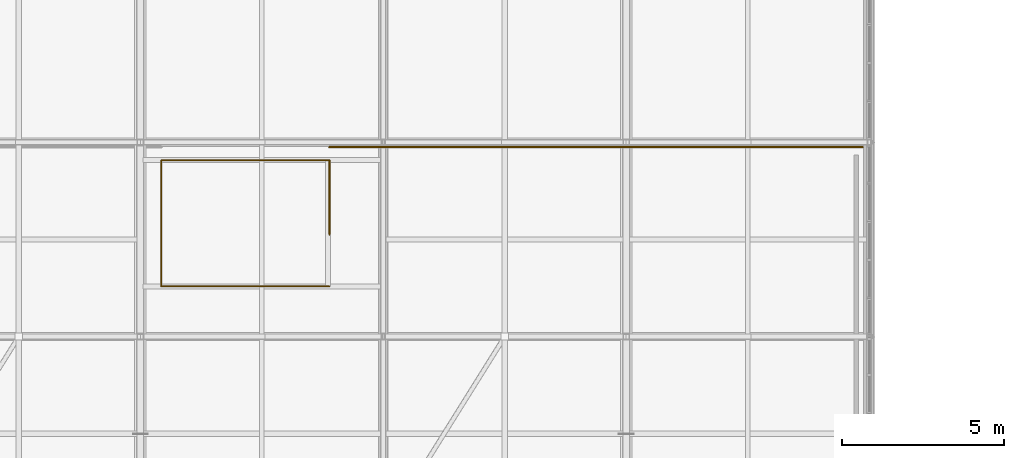
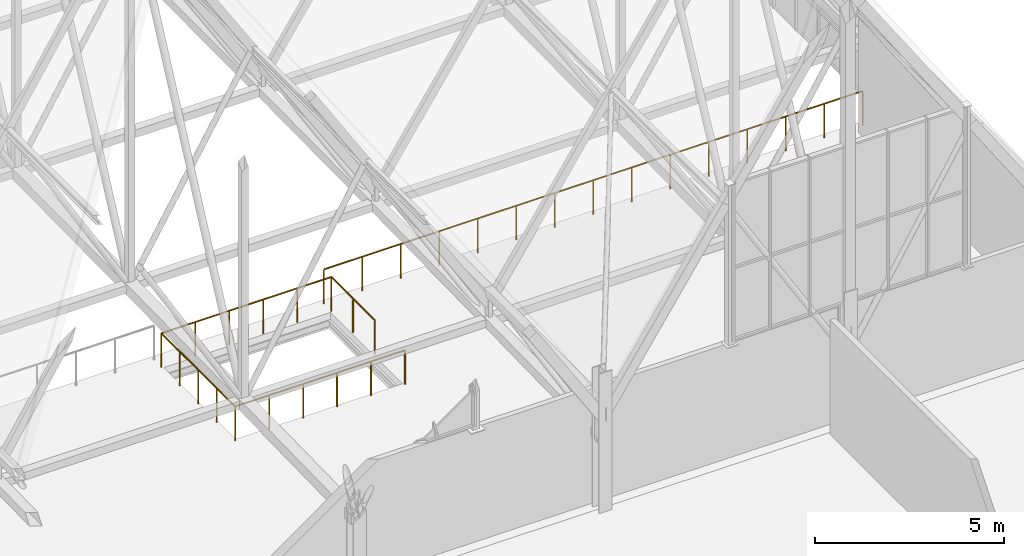
# One storey, part 324 of 324: 2 railings.
"""IFC4 building model written with IfcOpenShell, lengths in metres."""

from ifc_helpers import new_model, si_unit, direction, frame, origin, origin_2d, place, context, subcontext, project, spatial, circle, extrude, material, type_object, element, save


model = new_model("IFC4")

# Units and contexts
model_context = context("Model", 3, precision=1e-05, world=origin(), true_north=direction((0.0, 1.0)))
body_context = subcontext(model_context, "Body", "Model", "MODEL_VIEW")
ifc_project = project(units=[si_unit("LENGTHUNIT", "METRE"), si_unit("AREAUNIT", "SQUARE_METRE"), si_unit("VOLUMEUNIT", "CUBIC_METRE"), si_unit("PLANEANGLEUNIT", "RADIAN"), si_unit("MASSUNIT", "GRAM", prefix="KILO")], contexts=[model_context])

# Site, building, storey
site_placement = place(None, origin())
site = spatial("IfcSite", under=ifc_project, at=site_placement, CompositionType="ELEMENT")
building_placement = place(site_placement, origin())
building = spatial("IfcBuilding", under=site, at=building_placement, Name="Solvenia Promenade Tram Depot", CompositionType="ELEMENT")
storey_placement = place(building_placement, frame((0.0, 0.0, 4.5)))
storey = spatial("IfcBuildingStorey", under=building, at=storey_placement, Name="L01", CompositionType="ELEMENT", Elevation=4.5)

# Railings
ifc_material = material(Name="Anodized aluminium AW-6063 T6", Category="aluminium")
railing_type_1 = type_object("IfcRailingType", Name="Guard-Stair-1100", PredefinedType="GUARDRAIL", material=ifc_material)
railing_1_placement = place(storey_placement, frame((133.340087890625, 75.14990234375, 0.0)))
element("IfcRailing", 1, at=railing_1_placement, inside=storey, type_object=railing_type_1, Name="Gallery Stairwell Guard ST-GAL-02", PredefinedType="GUARDRAIL", context=body_context, shape_type="SweptSolid", body=[
    extrude(circle(Radius=0.02392578125, at=origin_2d()), frame((0.0, 0.0, 1.09619140625), z_axis=(0.0, 1.0, 0.0), x_axis=(-1.0, 0.0, 0.0)), (0.0, 0.0, 1.0), 2.300048828125),
    extrude(circle(Radius=0.02392578125, at=origin_2d()), frame((0.0, 2.300048828125, 1.09619140625), z_axis=(-1.0, 0.0, 0.0), x_axis=(0.0, -1.0, 0.0)), (0.0, 0.0, 1.0), 5.190185546875),
    extrude(circle(Radius=0.02392578125, at=origin_2d()), frame((-5.190185546875, 2.300048828125, 1.09619140625), z_axis=(0.0, -1.0, 0.0), x_axis=(1.0, 0.0, 0.0)), (0.0, 0.0, 1.0), 3.89990234375),
    extrude(circle(Radius=0.02392578125, at=origin_2d()), frame((-5.190185546875, -1.599853515625, 1.09619140625), z_axis=(1.0, 0.0, 0.0), x_axis=(0.0, 1.0, 0.0)), (0.0, 0.0, 1.0), 5.190185546875),
    extrude(circle(Radius=0.02099609375, at=origin_2d()), origin(), (0.0, 0.0, 1.0), 1.072021484375),
    extrude(circle(Radius=0.02099609375, at=origin_2d()), frame((0.0, 1.14990234375, 0.0)), (0.0, 0.0, 1.0), 1.072021484375),
    extrude(circle(Radius=0.02099609375, at=origin_2d()), frame((0.0, 2.300048828125, 0.0)), (0.0, 0.0, 1.0), 1.072021484375),
    extrude(circle(Radius=0.02099609375, at=origin_2d()), frame((-1.0380859375, 2.300048828125, 0.0)), (0.0, 0.0, 1.0), 1.072021484375),
    extrude(circle(Radius=0.02099609375, at=origin_2d()), frame((-2.076171875, 2.300048828125, 0.0)), (0.0, 0.0, 1.0), 1.072021484375),
    extrude(circle(Radius=0.02099609375, at=origin_2d()), frame((-3.114013671875, 2.300048828125, 0.0)), (0.0, 0.0, 1.0), 1.072021484375),
    extrude(circle(Radius=0.02099609375, at=origin_2d()), frame((-4.152099609375, 2.300048828125, 0.0)), (0.0, 0.0, 1.0), 1.072021484375),
    extrude(circle(Radius=0.02099609375, at=origin_2d()), frame((-5.190185546875, 2.300048828125, 0.0)), (0.0, 0.0, 1.0), 1.072021484375),
    extrude(circle(Radius=0.02099609375, at=origin_2d()), frame((-5.190185546875, 1.3251953125, 0.0)), (0.0, 0.0, 1.0), 1.072021484375),
    extrude(circle(Radius=0.02099609375, at=origin_2d()), frame((-5.190185546875, 0.35009765625, 0.0)), (0.0, 0.0, 1.0), 1.072021484375),
    extrude(circle(Radius=0.02099609375, at=origin_2d()), frame((-5.190185546875, -0.625, 0.0)), (0.0, 0.0, 1.0), 1.072021484375),
    extrude(circle(Radius=0.02099609375, at=origin_2d()), frame((-5.190185546875, -1.599853515625, 0.0)), (0.0, 0.0, 1.0), 1.072021484375),
    extrude(circle(Radius=0.02099609375, at=origin_2d()), frame((-4.152099609375, -1.599853515625, 0.0)), (0.0, 0.0, 1.0), 1.072021484375),
    extrude(circle(Radius=0.02099609375, at=origin_2d()), frame((-3.114013671875, -1.599853515625, 0.0)), (0.0, 0.0, 1.0), 1.072021484375),
    extrude(circle(Radius=0.02099609375, at=origin_2d()), frame((-2.076171875, -1.599853515625, 0.0)), (0.0, 0.0, 1.0), 1.072021484375),
    extrude(circle(Radius=0.02099609375, at=origin_2d()), frame((-1.0380859375, -1.599853515625, 0.0)), (0.0, 0.0, 1.0), 1.072021484375),
    extrude(circle(Radius=0.02099609375, at=origin_2d()), frame((0.0, -1.599853515625, 0.0)), (0.0, 0.0, 1.0), 1.072021484375),
])
railing_type_2 = type_object("IfcRailingType", Name="Guard-Terrace-1100", PredefinedType="GUARDRAIL", material=ifc_material)
railing_2_placement = place(storey_placement, frame((133.340087890625, 77.85009765625, 0.0)))
element("IfcRailing", 2, at=railing_2_placement, inside=storey, type_object=railing_type_2, Name="Safety Guardrail GR-WALK-V1-E", PredefinedType="GUARDRAIL", context=body_context, shape_type="SweptSolid", body=[
    extrude(circle(Radius=0.02392578125, at=origin_2d()), frame((0.0, 0.0, 1.09619140625), z_axis=(1.0, 0.0, 0.0), x_axis=(0.0, 1.0, 0.0)), (0.0, 0.0, 1.0), 16.4599609375),
    extrude(circle(Radius=0.02099609375, at=origin_2d()), origin(), (0.0, 0.0, 1.0), 1.072021484375),
    extrude(circle(Radius=0.02099609375, at=origin_2d()), frame((1.17578125, 0.0, 0.0)), (0.0, 0.0, 1.0), 1.072021484375),
    extrude(circle(Radius=0.02099609375, at=origin_2d()), frame((2.351318359375, 0.0, 0.0)), (0.0, 0.0, 1.0), 1.072021484375),
    extrude(circle(Radius=0.02099609375, at=origin_2d()), frame((3.527099609375, 0.0, 0.0)), (0.0, 0.0, 1.0), 1.072021484375),
    extrude(circle(Radius=0.02099609375, at=origin_2d()), frame((4.702880859375, 0.0, 0.0)), (0.0, 0.0, 1.0), 1.072021484375),
    extrude(circle(Radius=0.02099609375, at=origin_2d()), frame((5.878662109375, 0.0, 0.0)), (0.0, 0.0, 1.0), 1.072021484375),
    extrude(circle(Radius=0.02099609375, at=origin_2d()), frame((7.05419921875, 0.0, 0.0)), (0.0, 0.0, 1.0), 1.072021484375),
    extrude(circle(Radius=0.02099609375, at=origin_2d()), frame((8.22998046875, 0.0, 0.0)), (0.0, 0.0, 1.0), 1.072021484375),
    extrude(circle(Radius=0.02099609375, at=origin_2d()), frame((9.40576171875, 0.0, 0.0)), (0.0, 0.0, 1.0), 1.072021484375),
    extrude(circle(Radius=0.02099609375, at=origin_2d()), frame((10.581298828125, 0.0, 0.0)), (0.0, 0.0, 1.0), 1.072021484375),
    extrude(circle(Radius=0.02099609375, at=origin_2d()), frame((11.757080078125, 0.0, 0.0)), (0.0, 0.0, 1.0), 1.072021484375),
    extrude(circle(Radius=0.02099609375, at=origin_2d()), frame((12.932861328125, 0.0, 0.0)), (0.0, 0.0, 1.0), 1.072021484375),
    extrude(circle(Radius=0.02099609375, at=origin_2d()), frame((14.108642578125, 0.0, 0.0)), (0.0, 0.0, 1.0), 1.072021484375),
    extrude(circle(Radius=0.02099609375, at=origin_2d()), frame((15.2841796875, 0.0, 0.0)), (0.0, 0.0, 1.0), 1.072021484375),
    extrude(circle(Radius=0.02099609375, at=origin_2d()), frame((16.4599609375, 0.0, 0.0)), (0.0, 0.0, 1.0), 1.072021484375),
])

save(model, "model.ifc")
